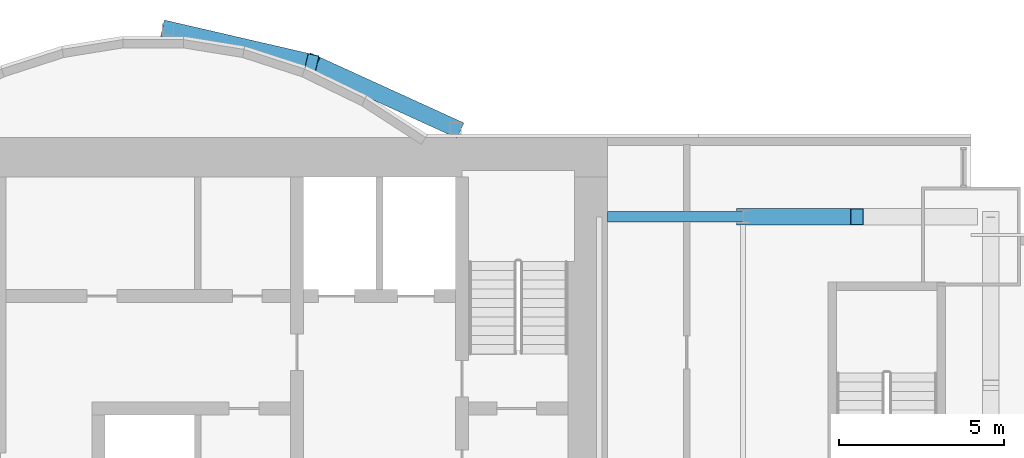
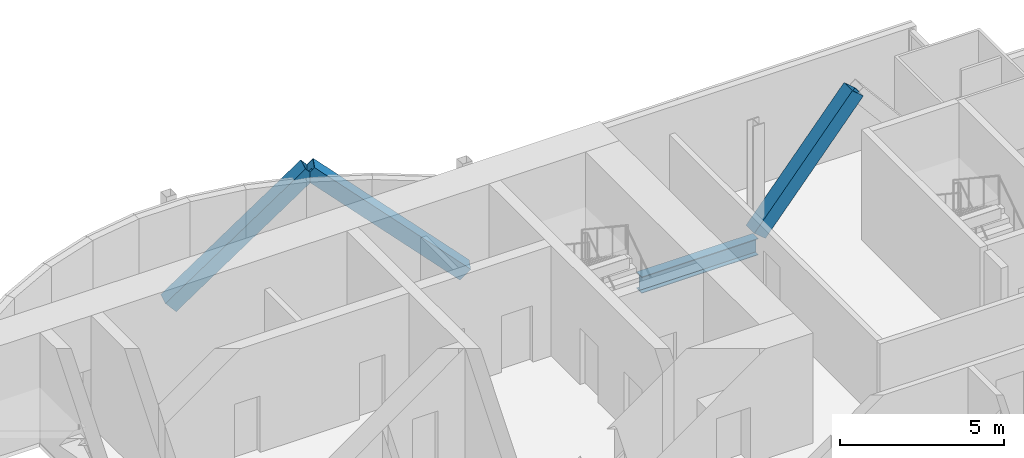
# One storey, part 11 of 21: 3 members, 1 beam.
"""IFC4 building model written with IfcOpenShell, lengths in metres."""

from ifc_helpers import new_model, si_unit, direction, frame, origin, origin_2d, place, context, subcontext, project, spatial, hollow_rectangle, i_section, extrude, material, material_profile, profile_set, type_object, element, save


model = new_model("IFC4")

# Units and contexts
model_context = context("Model", 3, precision=1e-05, world=origin(), true_north=direction((0.0, 1.0)))
body_context = subcontext(model_context, "Body", "Model", "MODEL_VIEW")
ifc_project = project(units=[si_unit("LENGTHUNIT", "METRE"), si_unit("AREAUNIT", "SQUARE_METRE"), si_unit("VOLUMEUNIT", "CUBIC_METRE"), si_unit("PLANEANGLEUNIT", "RADIAN"), si_unit("MASSUNIT", "GRAM", prefix="KILO")], contexts=[model_context])

# Site, building, storey
site_placement = place(None, origin())
site = spatial("IfcSite", under=ifc_project, at=site_placement, CompositionType="ELEMENT")
building_placement = place(site_placement, origin())
building = spatial("IfcBuilding", under=site, at=building_placement, Name="Bicima Exchange Tower", CompositionType="ELEMENT")
storey_placement = place(building_placement, frame((0.0, 0.0, 126.800048828125)))
storey = spatial("IfcBuildingStorey", under=building, at=storey_placement, Name="L27", CompositionType="ELEMENT", Elevation=126.800048828125)

# Members
ifc_material_1 = material(Name="Steel ASTM A572 Gr 50", Category="steel")
ifc_material_profile_1 = material_profile(ifc_material_1, hollow_rectangle(XDim=0.508056640625, YDim=0.508056640625, WallThickness=0.0146484375, at=origin_2d()))
ifc_profile_set_1 = profile_set([ifc_material_profile_1], Name="Steel ASTM A572 Gr 50")
member_type = type_object("IfcMemberType", Name="Mega brace HSS20x20x5/8", PredefinedType="BRACE", material=ifc_profile_set_1)
member_1_placement = place(storey_placement, frame((8.699951171875, 3.26904296875, 0.0), z_axis=(0.717625168184, -0.166055032463, 0.676342993002), x_axis=(0.225438503722, 0.974257399787, 0.0)))
element("IfcMember", 1, at=member_1_placement, inside=storey, type_object=member_type, Name="Mega brace rexo", PredefinedType="BRACE", context=body_context, shape_type="SweptSolid", body=[
    extrude(hollow_rectangle(XDim=0.508056640625, YDim=0.508056640625, WallThickness=0.0146484375, at=origin_2d()), origin(), (0.0, 0.0, 1.0), 6.061767578125),
])
member_2_placement = place(storey_placement, frame((17.39990234375, 0.278076171875, 0.0), z_axis=(-0.690646390594, 0.3150684101, 0.650952732629), x_axis=(-0.415045223819, -0.909800781592, 0.0)))
element("IfcMember", 2, at=member_2_placement, inside=storey, type_object=member_type, Name="Mega brace rexo", PredefinedType="BRACE", context=body_context, shape_type="SweptSolid", body=[
    extrude(hollow_rectangle(XDim=0.508056640625, YDim=0.508056640625, WallThickness=0.0146484375, at=origin_2d()), origin(), (0.0, 0.0, 1.0), 6.29833984375),
])
member_3_placement = place(storey_placement, frame((26.10009765625, -2.39990234375, 0.0), z_axis=(0.643856488545, 0.0, 0.765146275008), x_axis=(0.0, 1.0, 0.0)))
element("IfcMember", 3, at=member_3_placement, inside=storey, type_object=member_type, Name="Mega brace rear", PredefinedType="BRACE", context=body_context, shape_type="SweptSolid", body=[
    extrude(hollow_rectangle(XDim=0.508056640625, YDim=0.508056640625, WallThickness=0.0146484375, at=origin_2d()), origin(), (0.0, 0.0, 1.0), 5.358154296875),
])

# Beam
ifc_material_2 = material(Name="Steel ASTM A992 Gr 50", Category="steel")
ifc_material_profile_2 = material_profile(ifc_material_2, i_section(OverallWidth=0.3251953125, OverallDepth=0.612060546875, WebThickness=0.0126953125, FlangeThickness=0.01904296875, at=origin_2d()))
ifc_profile_set_2 = profile_set([ifc_material_profile_2], Name="Steel ASTM A992 Gr 50")
beam_type = type_object("IfcBeamType", Name="Rear girder W24x104", PredefinedType="BEAM", material=ifc_profile_set_2)
beam_placement = place(storey_placement, frame((22.0, -2.39990234375, -0.4560546875), z_axis=(1.0, 0.0, 0.0), x_axis=(0.0, 1.0, 0.0)))
element("IfcBeam", 4, at=beam_placement, inside=storey, type_object=beam_type, Name="Rear girder", PredefinedType="BEAM", context=body_context, shape_type="SweptSolid", body=[
    extrude(i_section(OverallWidth=0.3251953125, OverallDepth=0.612060546875, WebThickness=0.0126953125, FlangeThickness=0.01904296875, at=origin_2d()), origin(), (0.0, 0.0, 1.0), 4.10009765625),
])

save(model, "model.ifc")
